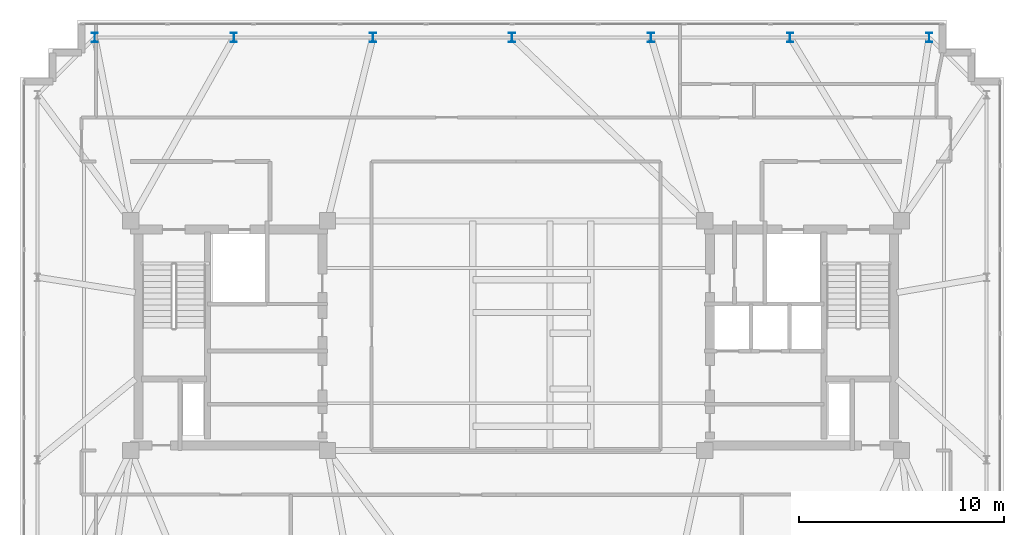
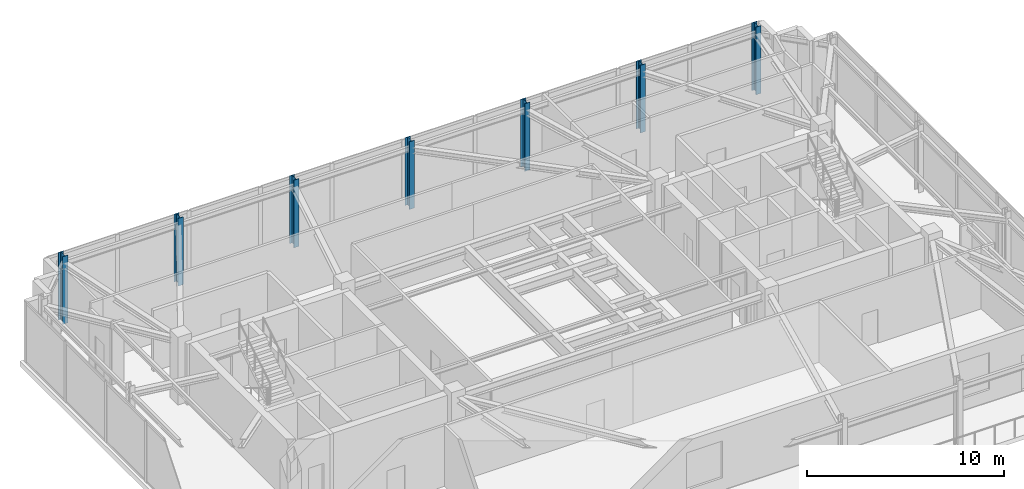
# One storey, part 3 of 24: 7 columns.
"""IFC4 building model written with IfcOpenShell, lengths in metres."""

import ifcopenshell
import ifcopenshell.guid

model = None  # the IFC model being written
_history = None  # IfcOwnerHistory: only IFC2X3 demands one
_inside = {}  # id of a spatial element -> (the spatial element, [elements in it])
_under = {}  # id of a project, library or spatial element -> (it, [spatial elements below it])
_declared = {}  # id of a project -> (the project, [libraries it declares])
_typed = {}  # id of a type object -> (the type object, [elements of that type])
_made_of = {}  # id of a material, layer set ... -> (it, [elements and type objects made of it])


def new_model(schema):
    """Start an empty IFC model of exactly this schema.

    Asked for "IFC4X3", IfcOpenShell would pick the latest addendum, in which some entities
    have other attributes; the version numbers below select the first issue.
    IFC2X3 requires an IfcOwnerHistory on every rooted entity: one is made here for all.
    """
    global model, _history
    if schema == "IFC4X3":
        model = ifcopenshell.file(schema_version=(4, 3, 0, 0))
    else:
        model = ifcopenshell.file(schema=schema)
    _inside.clear()
    _under.clear()
    _declared.clear()
    _typed.clear()
    _made_of.clear()
    _history = None
    if model.schema == "IFC2X3":
        org = make("IfcOrganization", Name="unknown")
        user = make(
            "IfcPersonAndOrganization",
            ThePerson=make("IfcPerson", FamilyName="unknown"),
            TheOrganization=org,
        )
        app = make(
            "IfcApplication",
            ApplicationDeveloper=org,
            Version="unknown",
            ApplicationFullName="unknown",
            ApplicationIdentifier="unknown",
        )
        _history = make(
            "IfcOwnerHistory",
            OwningUser=user,
            OwningApplication=app,
            ChangeAction="ADDED",
            CreationDate=0,
        )
    return model


def make(cls, **values):
    """One entity of the class cls with the attributes given. An attribute that is None is left unset."""
    return model.create_entity(
        cls, **{name: value for name, value in values.items() if value is not None}
    )


def rooted(cls, **values):
    """An entity with a GlobalId (a new one), such as an element, a storey or a relation."""
    return make(cls, GlobalId=ifcopenshell.guid.new(), OwnerHistory=_history, **values)


def si_unit(unit_type, name, prefix=None):
    """IfcSIUnit, for example si_unit("LENGTHUNIT", "METRE", prefix="MILLI")."""
    return make("IfcSIUnit", UnitType=unit_type, Prefix=prefix, Name=name)


def assignment(units):
    """IfcUnitAssignment: the units of a project."""
    return None if units is None else make("IfcUnitAssignment", Units=units)


def point(xyz):
    """IfcCartesianPoint."""
    return None if xyz is None else make("IfcCartesianPoint", Coordinates=xyz)


def direction(xyz):
    """IfcDirection."""
    return None if xyz is None else make("IfcDirection", DirectionRatios=xyz)


def frame(location, z_axis=None, x_axis=None):
    """IfcAxis2Placement3D, a coordinate frame: its origin and axes. An axis left out is left unset."""
    return make(
        "IfcAxis2Placement3D",
        Location=point(location),
        Axis=direction(z_axis),
        RefDirection=direction(x_axis),
    )


def frame_2d(location, x_axis=None):
    """IfcAxis2Placement2D, a coordinate frame in the plane: its origin and x axis."""
    return make(
        "IfcAxis2Placement2D", Location=point(location), RefDirection=direction(x_axis)
    )


def origin():
    """The frame at (0, 0, 0) with its axes left unset."""
    return frame((0.0, 0.0, 0.0))


def origin_2d():
    """The frame at (0, 0) in the plane with its x axis left unset."""
    return frame_2d((0.0, 0.0))


def place(relative_to, where):
    """IfcLocalPlacement: puts the frame where relative to a parent placement (None: the world)."""
    return make(
        "IfcLocalPlacement", PlacementRelTo=relative_to, RelativePlacement=where
    )


def context(
    kind, dimensions, precision=None, world=None, true_north=None, identifier=None
):
    """IfcGeometricRepresentationContext, for example the 3D "Model" context."""
    return make(
        "IfcGeometricRepresentationContext",
        ContextIdentifier=identifier,
        ContextType=kind,
        CoordinateSpaceDimension=dimensions,
        Precision=precision,
        WorldCoordinateSystem=world,
        TrueNorth=true_north,
    )


def subcontext(parent, identifier, kind, view, scale=None):
    """IfcGeometricRepresentationSubContext, for example "Body" below "Model"."""
    return make(
        "IfcGeometricRepresentationSubContext",
        ContextIdentifier=identifier,
        ContextType=kind,
        ParentContext=parent,
        TargetScale=scale,
        TargetView=view,
    )


def project(units=None, contexts=None):
    """IfcProject with its units and contexts."""
    return rooted(
        "IfcProject",
        Name="project",
        RepresentationContexts=contexts,
        UnitsInContext=assignment(units),
    )


def spatial(cls, under=None, at=None, **own):
    """A site, building, storey or space (cls), placed at a placement, below another one or the project."""
    s = rooted(cls, ObjectPlacement=at, **own)
    if under is not None:
        _under.setdefault(under.id(), (under, []))[1].append(s)
    return s


def profile(cls, at=None, kind="AREA", **sizes):
    """A parametric profile (cls). Its sizes go by their IFC names, for example OverallWidth=200.0."""
    return make(cls, ProfileType=kind, Position=at, **sizes)


def i_section(**sizes):
    """IfcIShapeProfileDef."""
    return profile("IfcIShapeProfileDef", **sizes)


def extrude(swept, where, along, depth):
    """IfcExtrudedAreaSolid: the profile swept, set in the frame where, extruded along a direction by depth."""
    return make(
        "IfcExtrudedAreaSolid",
        SweptArea=swept,
        Position=where,
        ExtrudedDirection=direction(along),
        Depth=depth,
    )


def shape(context_of_items, identifier, shape_type, items):
    """IfcShapeRepresentation: the items that make up one representation, for example the "Body"."""
    return make(
        "IfcShapeRepresentation",
        ContextOfItems=context_of_items,
        RepresentationIdentifier=identifier,
        RepresentationType=shape_type,
        Items=items,
    )


def material(Name=None, Category=None):
    """IfcMaterial."""
    return make("IfcMaterial", Name=Name, Category=Category)


def material_profile(
    of_material, cross_section, Name=None, Category=None, Priority=None
):
    """IfcMaterialProfile: a cross section and its material."""
    return make(
        "IfcMaterialProfile",
        Name=Name,
        Material=of_material,
        Profile=cross_section,
        Priority=Priority,
        Category=Category,
    )


def profile_set(profiles, Name=None, composite=None):
    """IfcMaterialProfileSet."""
    return make(
        "IfcMaterialProfileSet",
        Name=Name,
        MaterialProfiles=profiles,
        CompositeProfile=composite,
    )


def made_of(thing, what):
    """Note that an element or type object is made of a material, layer set ...; save() writes the relation."""
    if what is not None:
        _made_of.setdefault(what.id(), (what, []))[1].append(thing)
    return thing


def type_object(cls, material=None, **own):
    """A type object (cls), such as IfcWallType, which elements share."""
    return made_of(rooted(cls, **own), material)


def element(
    cls,
    number,
    at=None,
    inside=None,
    cuts=None,
    type_object=None,
    material=None,
    context=None,
    identifier="Body",
    shape_type=None,
    held_by="IfcProductDefinitionShape",
    body=None,
    shapes=None,
    **own,
):
    """One element of the class cls, such as IfcWall. Its Tag is "e" and its number.

    at: its placement. inside: the storey or other place that contains it. cuts: it is an
    opening in that element (IfcRelVoidsElement). A single representation is given by context,
    identifier, shape_type and body (its items); several are given by shapes. held_by: the class
    of the entity that holds the representations. save() writes the other relations.
    """
    e = rooted(cls, Tag="e%d" % number, ObjectPlacement=at, **own)
    if body is not None:
        shapes = [shape(context, identifier, shape_type, body)]
    if shapes is not None:
        e.Representation = make(held_by, Representations=shapes)
    if inside is not None:
        _inside.setdefault(inside.id(), (inside, []))[1].append(e)
    if cuts is not None:
        rooted(
            "IfcRelVoidsElement", RelatingBuildingElement=cuts, RelatedOpeningElement=e
        )
    if type_object is not None:
        _typed.setdefault(type_object.id(), (type_object, []))[1].append(e)
    return made_of(e, material)


def aggregate(whole, parts):
    """IfcRelAggregates: a whole, such as a stair, and the parts it consists of."""
    return rooted("IfcRelAggregates", RelatingObject=whole, RelatedObjects=parts)


def save(model, path):
    """Write the relations noted so far, then the file.

    IfcRelAggregates (storeys below a building ...), IfcRelContainedInSpatialStructure (elements
    in a storey), IfcRelDefinesByType, IfcRelAssociatesMaterial and IfcRelDeclares: one each for
    every whole, place, type object, material and project.
    """
    for whole, parts in _under.values():
        aggregate(whole, parts)
    for where, things in _inside.values():
        rooted(
            "IfcRelContainedInSpatialStructure",
            RelatedElements=things,
            RelatingStructure=where,
        )
    for kind, things in _typed.values():
        rooted("IfcRelDefinesByType", RelatedObjects=things, RelatingType=kind)
    for what, things in _made_of.values():
        rooted("IfcRelAssociatesMaterial", RelatedObjects=things, RelatingMaterial=what)
    for by, libraries in _declared.values():
        rooted("IfcRelDeclares", RelatingContext=by, RelatedDefinitions=libraries)
    model.write(path)


model = new_model("IFC4")

# Units and contexts
model_context = context("Model", 3, precision=1e-05, world=origin(), true_north=direction((0.0, 1.0)))
body_context = subcontext(model_context, "Body", "Model", "MODEL_VIEW")
ifc_project = project(units=[si_unit("LENGTHUNIT", "METRE"), si_unit("AREAUNIT", "SQUARE_METRE"), si_unit("VOLUMEUNIT", "CUBIC_METRE"), si_unit("PLANEANGLEUNIT", "RADIAN"), si_unit("MASSUNIT", "GRAM", prefix="KILO")], contexts=[model_context])

# Site, building, storey
site_placement = place(None, origin())
site = spatial("IfcSite", under=ifc_project, at=site_placement, CompositionType="ELEMENT")
building_placement = place(site_placement, origin())
building = spatial("IfcBuilding", under=site, at=building_placement, Name="Qobustan Lattice House", CompositionType="ELEMENT")
storey_placement = place(building_placement, frame((0.0, 0.0, 261.800048828125)))
storey = spatial("IfcBuildingStorey", under=building, at=storey_placement, Name="L74", CompositionType="ELEMENT", Elevation=261.800048828125)

# Columns
ifc_material = material(Name="Steel S355", Category="steel")
ifc_material_profile = material_profile(ifc_material, i_section(OverallWidth=0.300048828125, OverallDepth=0.449951171875, WebThickness=0.013916015625, FlangeThickness=0.02587890625, FilletRadius=0.027099609375, at=origin_2d()), Name="HEB450")
ifc_profile_set = profile_set([ifc_material_profile], Name="Steel S355")
column_type = type_object("IfcColumnType", Name="COL-ST-HEB450", PredefinedType="COLUMN", material=ifc_profile_set)
for number, where, z_axis, x_axis, name in (
    (1, (20.14990234375, 14.550048828125, 0.0), (0.0, 0.0, 1.0), (1.0, 0.0, 0.0), "L74 B5 perimeter column N1"),
    (2, (13.36669921875, 14.550048828125, 0.0), (0.0, 0.0, 1.0), (1.0, 0.0, 0.0), "L74 B5 perimeter column N2"),
    (3, (6.583251953125, 14.550048828125, 0.0), (0.0, 0.0, 1.0), (1.0, 0.0, 0.0), "L74 B5 perimeter column N3"),
    (4, (-0.199951171875, 14.550048828125, 0.0), (0.0, 0.0, 1.0), (1.0, 0.0, 0.0), "L74 B5 perimeter column N4"),
    (5, (-6.9833984375, 14.550048828125, 0.0), (0.0, 0.0, 1.0), (1.0, 0.0, 0.0), "L74 B5 perimeter column N5"),
    (6, (-13.7666015625, 14.550048828125, 0.0), (0.0, 0.0, 1.0), (1.0, 0.0, 0.0), "L74 B5 perimeter column N6"),
    (7, (-20.550048828125, 14.550048828125, 0.0), (0.0, 0.0, 1.0), (1.0, 0.0, 0.0), "L74 B5 perimeter column N7"),
):
    element("IfcColumn", number, at=place(storey_placement, frame(where, z_axis=z_axis, x_axis=x_axis)), inside=storey, type_object=column_type, Name=name, PredefinedType="COLUMN", context=body_context, shape_type="SweptSolid", body=[
        extrude(i_section(OverallWidth=0.300048828125, OverallDepth=0.449951171875, WebThickness=0.013916015625, FlangeThickness=0.02587890625, FilletRadius=0.027099609375, at=origin_2d()), origin(), (0.0, 0.0, 1.0), 4.199951171875),
    ])

save(model, "model.ifc")
